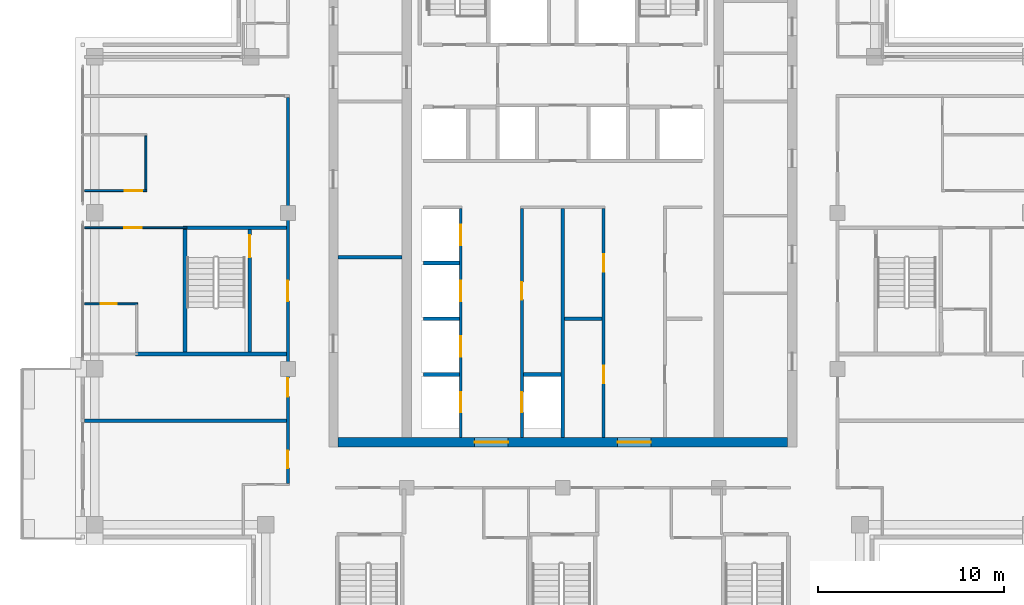
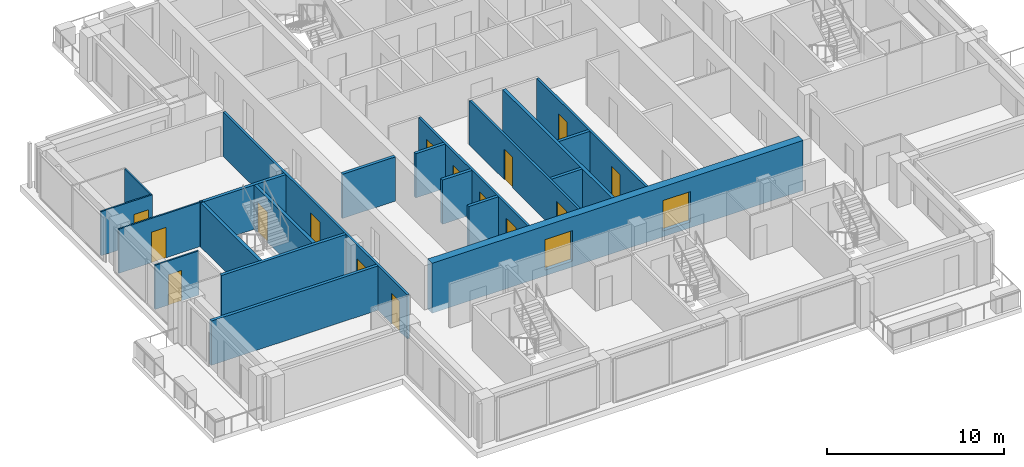
# One storey, part 10 of 18: 21 walls, 17 doors, 17 openings.
"""IFC4 building model written with IfcOpenShell, lengths in metres."""

from ifc_helpers import new_model, si_unit, direction, frame, frame_2d, origin, place, context, subcontext, project, spatial, rectangle, extrude, material, layer, layer_set, type_object, element, fill, save


model = new_model("IFC4")

# Units and contexts
model_context = context("Model", 3, precision=1e-05, world=origin(), true_north=direction((0.0, 1.0)))
body_context = subcontext(model_context, "Body", "Model", "MODEL_VIEW")
ifc_project = project(units=[si_unit("LENGTHUNIT", "METRE"), si_unit("AREAUNIT", "SQUARE_METRE"), si_unit("VOLUMEUNIT", "CUBIC_METRE"), si_unit("PLANEANGLEUNIT", "RADIAN"), si_unit("MASSUNIT", "GRAM", prefix="KILO")], contexts=[model_context])

# Site, building, storey
site_placement = place(None, origin())
site = spatial("IfcSite", under=ifc_project, at=site_placement, CompositionType="ELEMENT")
building_placement = place(site_placement, origin())
building = spatial("IfcBuilding", under=site, at=building_placement, Name="Vermilion Ogive Tower", CompositionType="ELEMENT")
storey_placement = place(building_placement, frame((0.0, 0.0, 230.35009765625)))
storey = spatial("IfcBuildingStorey", under=building, at=storey_placement, Name="L60", CompositionType="ELEMENT", Elevation=230.35009765625)

# Wall, openings, doors
ifc_material_1 = material(Name="Concrete B60", Category="concrete")
ifc_layer_1 = layer(ifc_material_1, 0.5)
ifc_layer_set_1 = layer_set([ifc_layer_1], Name="Core wall 500 B60")
wall_type_1 = type_object("IfcWallType", Name="Core wall 500 B60", PredefinedType="SHEAR", material=ifc_layer_set_1)
wall_1_placement = place(storey_placement, frame((-12.10009765625, -8.14990234375, -0.400146484375), z_axis=(0.0, 0.0, 1.0), x_axis=(1.0, 0.0, 0.0)))
wall_1 = element("IfcWall", 1, at=wall_1_placement, inside=storey, type_object=wall_type_1, Name="L60-CORE-S", PredefinedType="SHEAR", context=body_context, shape_type="SweptSolid", body=[
    extrude(rectangle(XDim=24.2001953125, YDim=0.5, at=frame_2d((12.10009765625, 0.0))), origin(), (0.0, 0.0, 1.0), 3.449951171875),
])
opening_1_placement = place(wall_1_placement, frame((7.35009765625, 0.0, 0.39990234375)))
opening_1 = element("IfcOpeningElement", 2, at=opening_1_placement, cuts=wall_1, Name="Opening DAH047", PredefinedType="OPENING", context=body_context, shape_type="SweptSolid", body=[
    extrude(rectangle(XDim=1.800048828125, YDim=2.10009765625, at=frame_2d((0.89990234375, 1.050048828125))), frame((0.0, 0.260009765625, 0.0), z_axis=(0.0, -1.0, 0.0), x_axis=(1.0, 0.0, 0.0)), (0.0, 0.0, 1.0), 0.52001953125),
])
opening_2_placement = place(wall_1_placement, frame((15.050048828125, 0.0, 0.39990234375)))
opening_2 = element("IfcOpeningElement", 3, at=opening_2_placement, cuts=wall_1, Name="Opening DAH048", PredefinedType="OPENING", context=body_context, shape_type="SweptSolid", body=[
    extrude(rectangle(XDim=1.800048828125, YDim=2.10009765625, at=frame_2d((0.89990234375, 1.050048828125))), frame((0.0, 0.260009765625, 0.0), z_axis=(0.0, -1.0, 0.0), x_axis=(1.0, 0.0, 0.0)), (0.0, 0.0, 1.0), 0.52001953125),
])
ifc_material_2 = material(Name="Timber door leaf", Category="wood")
door_type_1 = type_object("IfcDoorType", Name="Core entry door 1800 x 2100 FD60S", OperationType="DOUBLE_DOOR_SINGLE_SWING", PredefinedType="DOOR", material=ifc_material_2)
door_1_placement = place(opening_1_placement, origin())
door_1 = element("IfcDoor", 4, at=door_1_placement, inside=storey, type_object=door_type_1, Name="L60-CK-XD1", OperationType="SINGLE_SWING_LEFT", OverallHeight=2.10009765625, OverallWidth=1.800048828125, PredefinedType="DOOR", context=body_context, shape_type="SweptSolid", body=[
    extrude(rectangle(XDim=1.800048828125, YDim=2.10009765625, at=frame_2d((0.89990234375, 1.050048828125))), frame((0.0, 0.02490234375, 0.0), z_axis=(0.0, -1.0, 0.0), x_axis=(1.0, 0.0, 0.0)), (0.0, 0.0, 1.0), 0.050048828125),
])
fill(opening_1, door_1)
door_2_placement = place(opening_2_placement, origin())
door_2 = element("IfcDoor", 5, at=door_2_placement, inside=storey, type_object=door_type_1, Name="L60-CK-XD2", OperationType="SINGLE_SWING_LEFT", OverallHeight=2.10009765625, OverallWidth=1.800048828125, PredefinedType="DOOR", context=body_context, shape_type="SweptSolid", body=[
    extrude(rectangle(XDim=1.800048828125, YDim=2.10009765625, at=frame_2d((0.89990234375, 1.050048828125))), frame((0.0, 0.02490234375, 0.0), z_axis=(0.0, -1.0, 0.0), x_axis=(1.0, 0.0, 0.0)), (0.0, 0.0, 1.0), 0.050048828125),
])
fill(opening_2, door_2)

# Wall, opening, door
ifc_material_3 = material(Name="Gypsum board partition on steel studs", Category="steel")
ifc_layer_2 = layer(ifc_material_3, 0.10009765625)
ifc_layer_set_2 = layer_set([ifc_layer_2], Name="Partition 100 bath")
wall_type_2 = type_object("IfcWallType", Name="Partition 100 bath", PredefinedType="PARTITIONING", material=ifc_layer_set_2)
wall_2_placement = place(storey_placement, frame((-25.75, -0.699951171875, 0.0), z_axis=(0.0, 0.0, 1.0), x_axis=(1.0, 0.0, 0.0)))
wall_2 = element("IfcWall", 6, at=wall_2_placement, inside=storey, type_object=wall_type_2, Name="L60-W-W022", PredefinedType="PARTITIONING", context=body_context, shape_type="SweptSolid", body=[
    extrude(rectangle(XDim=2.85009765625, YDim=0.10009765625, at=frame_2d((1.425048828125, 0.0))), origin(), (0.0, 0.0, 1.0), 3.0498046875),
])
opening_3_placement = place(wall_2_placement, frame((0.875, 0.0, 0.0)))
opening_3 = element("IfcOpeningElement", 7, at=opening_3_placement, cuts=wall_2, Name="Opening D5G1006", PredefinedType="OPENING", context=body_context, shape_type="SweptSolid", body=[
    extrude(rectangle(XDim=0.85009765625, YDim=2.10009765625, at=frame_2d((0.425048828125, 1.050048828125))), frame((0.0, 0.06005859375, 0.0), z_axis=(0.0, -1.0, 0.0), x_axis=(1.0, 0.0, 0.0)), (0.0, 0.0, 1.0), 0.1201171875),
])
ifc_material_4 = material(Name="Timber door leaf", Category="wood")
door_type_2 = type_object("IfcDoorType", Name="Bath door 850 x 2100 FD30", OperationType="SINGLE_SWING_LEFT", PredefinedType="DOOR", material=ifc_material_4)
door_3_placement = place(opening_3_placement, origin())
door_3 = element("IfcDoor", 8, at=door_3_placement, inside=storey, type_object=door_type_2, Name="L60-D-D006", OperationType="SINGLE_SWING_RIGHT", OverallHeight=2.10009765625, OverallWidth=0.85009765625, PredefinedType="DOOR", context=body_context, shape_type="SweptSolid", body=[
    extrude(rectangle(XDim=0.85009765625, YDim=2.10009765625, at=frame_2d((0.425048828125, 1.050048828125))), frame((0.0, 0.02490234375, 0.0), z_axis=(0.0, -1.0, 0.0), x_axis=(1.0, 0.0, 0.0)), (0.0, 0.0, 1.0), 0.050048828125),
])
fill(opening_3, door_3)

ifc_material_5 = material(Name="Gypsum board partition on steel studs", Category="steel")
ifc_layer_3 = layer(ifc_material_5, 0.10009765625)
ifc_layer_set_3 = layer_set([ifc_layer_3], Name="Partition 100 inner")
wall_type_3 = type_object("IfcWallType", Name="Partition 100 inner", PredefinedType="PARTITIONING", material=ifc_layer_set_3)
wall_3_placement = place(storey_placement, frame((-25.75, 3.39990234375, 0.0), z_axis=(0.0, 0.0, 1.0), x_axis=(1.0, 0.0, 0.0)))
wall_3 = element("IfcWall", 9, at=wall_3_placement, inside=storey, type_object=wall_type_3, Name="L60-W-W023", PredefinedType="PARTITIONING", context=body_context, shape_type="SweptSolid", body=[
    extrude(rectangle(XDim=5.5, YDim=0.10009765625, at=frame_2d((2.75, 0.0))), origin(), (0.0, 0.0, 1.0), 3.0498046875),
])
opening_4_placement = place(wall_3_placement, frame((2.125, 0.0, 0.0)))
opening_4 = element("IfcOpeningElement", 10, at=opening_4_placement, cuts=wall_3, Name="Opening D5G1005", PredefinedType="OPENING", context=body_context, shape_type="SweptSolid", body=[
    extrude(rectangle(XDim=0.949951171875, YDim=2.10009765625, at=frame_2d((0.47509765625, 1.050048828125))), frame((0.0, 0.06005859375, 0.0), z_axis=(0.0, -1.0, 0.0), x_axis=(1.0, 0.0, 0.0)), (0.0, 0.0, 1.0), 0.1201171875),
])
ifc_material_6 = material(Name="Timber door leaf", Category="wood")
door_type_3 = type_object("IfcDoorType", Name="Inner door 950 x 2100 FD30", OperationType="SINGLE_SWING_LEFT", PredefinedType="DOOR", material=ifc_material_6)
door_4_placement = place(opening_4_placement, origin())
door_4 = element("IfcDoor", 11, at=door_4_placement, inside=storey, type_object=door_type_3, Name="L60-D-D005", OperationType="SINGLE_SWING_LEFT", OverallHeight=2.10009765625, OverallWidth=0.949951171875, PredefinedType="DOOR", context=body_context, shape_type="SweptSolid", body=[
    extrude(rectangle(XDim=0.949951171875, YDim=2.10009765625, at=frame_2d((0.47509765625, 1.050048828125))), frame((0.0, 0.02490234375, 0.0), z_axis=(0.0, -1.0, 0.0), x_axis=(1.0, 0.0, 0.0)), (0.0, 0.0, 1.0), 0.050048828125),
])
fill(opening_4, door_4)

wall_4_placement = place(storey_placement, frame((-25.75, 5.39990234375, 0.0), z_axis=(0.0, 0.0, 1.0), x_axis=(1.0, 0.0, 0.0)))
wall_4 = element("IfcWall", 12, at=wall_4_placement, inside=storey, type_object=wall_type_3, Name="L60-W-W027", PredefinedType="PARTITIONING", context=body_context, shape_type="SweptSolid", body=[
    extrude(rectangle(XDim=3.35009765625, YDim=0.10009765625, at=frame_2d((1.675048828125, 0.0))), origin(), (0.0, 0.0, 1.0), 3.0498046875),
])
opening_5_placement = place(wall_4_placement, frame((2.14990234375, 0.0, 0.0)))
opening_5 = element("IfcOpeningElement", 13, at=opening_5_placement, cuts=wall_4, Name="Opening D5G1003", PredefinedType="OPENING", context=body_context, shape_type="SweptSolid", body=[
    extrude(rectangle(XDim=0.949951171875, YDim=2.10009765625, at=frame_2d((0.47509765625, 1.050048828125))), frame((0.0, 0.06005859375, 0.0), z_axis=(0.0, -1.0, 0.0), x_axis=(1.0, 0.0, 0.0)), (0.0, 0.0, 1.0), 0.1201171875),
])
door_5_placement = place(opening_5_placement, origin())
door_5 = element("IfcDoor", 14, at=door_5_placement, inside=storey, type_object=door_type_3, Name="L60-D-D003", OperationType="SINGLE_SWING_RIGHT", OverallHeight=2.10009765625, OverallWidth=0.949951171875, PredefinedType="DOOR", context=body_context, shape_type="SweptSolid", body=[
    extrude(rectangle(XDim=0.949951171875, YDim=2.10009765625, at=frame_2d((0.47509765625, 1.050048828125))), frame((0.0, 0.02490234375, 0.0), z_axis=(0.0, -1.0, 0.0), x_axis=(1.0, 0.0, 0.0)), (0.0, 0.0, 1.0), 0.050048828125),
])
fill(opening_5, door_5)

# Wall
wall_5_placement = place(storey_placement, frame((-22.449951171875, 5.449951171875, 0.0), z_axis=(0.0, 0.0, 1.0), x_axis=(0.0, 1.0, 0.0)))
element("IfcWall", 15, at=wall_5_placement, inside=storey, type_object=wall_type_3, Name="L60-W-W040", PredefinedType="PARTITIONING", context=body_context, shape_type="SweptSolid", body=[
    extrude(rectangle(XDim=2.900146484375, YDim=0.10009765625, at=frame_2d((1.4501953125, 0.0))), origin(), (0.0, 0.0, 1.0), 3.0498046875),
])

# Wall, openings, doors
ifc_material_7 = material(Name="Gypsum board partition on steel studs", Category="steel")
ifc_layer_4 = layer(ifc_material_7, 0.14990234375)
ifc_layer_set_4 = layer_set([ifc_layer_4], Name="Partition 150 corridor")
wall_type_4 = type_object("IfcWallType", Name="Partition 150 corridor", PredefinedType="PARTITIONING", material=ifc_layer_set_4)
wall_6_placement = place(storey_placement, frame((-14.800048828125, -10.3798828125, 0.0), z_axis=(0.0, 0.0, 1.0), x_axis=(0.0, 1.0, 0.0)))
wall_6 = element("IfcWall", 16, at=wall_6_placement, inside=storey, type_object=wall_type_4, Name="L60-W-W045", PredefinedType="PARTITIONING", context=body_context, shape_type="SweptSolid", body=[
    extrude(rectangle(XDim=20.804931640625, YDim=0.14990234375, at=frame_2d((10.40234375, 0.0))), origin(), (0.0, 0.0, 1.0), 3.0498046875),
])
opening_6_placement = place(wall_6_placement, frame((0.829833984375, 0.0, 0.0)))
opening_6 = element("IfcOpeningElement", 17, at=opening_6_placement, cuts=wall_6, Name="Opening D5G1001", PredefinedType="OPENING", context=body_context, shape_type="SweptSolid", body=[
    extrude(rectangle(XDim=0.949951171875, YDim=2.10009765625, at=frame_2d((0.47509765625, 1.050048828125))), frame((0.0, 0.0849609375, 0.0), z_axis=(0.0, -1.0, 0.0), x_axis=(1.0, 0.0, 0.0)), (0.0, 0.0, 1.0), 0.169921875),
])
opening_7_placement = place(wall_6_placement, frame((9.829833984375, 0.0, 0.0)))
opening_7 = element("IfcOpeningElement", 18, at=opening_7_placement, cuts=wall_6, Name="Opening D5G1031", PredefinedType="OPENING", context=body_context, shape_type="SweptSolid", body=[
    extrude(rectangle(XDim=1.10009765625, YDim=2.10009765625, at=frame_2d((0.550048828125, 1.050048828125))), frame((0.0, 0.0849609375, 0.0), z_axis=(0.0, -1.0, 0.0), x_axis=(1.0, 0.0, 0.0)), (0.0, 0.0, 1.0), 0.169921875),
])
opening_8_placement = place(wall_6_placement, frame((4.679931640625, 0.0, 0.0)))
opening_8 = element("IfcOpeningElement", 19, at=opening_8_placement, cuts=wall_6, Name="Opening D5G1033", PredefinedType="OPENING", context=body_context, shape_type="SweptSolid", body=[
    extrude(rectangle(XDim=1.0, YDim=2.10009765625, at=frame_2d((0.5, 1.050048828125))), frame((0.0, 0.0849609375, 0.0), z_axis=(0.0, -1.0, 0.0), x_axis=(1.0, 0.0, 0.0)), (0.0, 0.0, 1.0), 0.169921875),
])
ifc_material_8 = material(Name="Timber door leaf", Category="wood")
door_type_4 = type_object("IfcDoorType", Name="Stair door 1100 x 2100 FD60S", OperationType="SINGLE_SWING_LEFT", PredefinedType="DOOR", material=ifc_material_8)
door_6_placement = place(opening_7_placement, origin())
door_6 = element("IfcDoor", 20, at=door_6_placement, inside=storey, type_object=door_type_4, Name="L60-D-D031", OperationType="SINGLE_SWING_RIGHT", OverallHeight=2.10009765625, OverallWidth=1.10009765625, PredefinedType="DOOR", context=body_context, shape_type="SweptSolid", body=[
    extrude(rectangle(XDim=1.10009765625, YDim=2.10009765625, at=frame_2d((0.550048828125, 1.050048828125))), frame((0.0, 0.02490234375, 0.0), z_axis=(0.0, -1.0, 0.0), x_axis=(1.0, 0.0, 0.0)), (0.0, 0.0, 1.0), 0.050048828125),
])
fill(opening_7, door_6)
ifc_material_9 = material(Name="Timber door leaf", Category="wood")
door_type_5 = type_object("IfcDoorType", Name="Unit door 1000 x 2100 FD30S", OperationType="SINGLE_SWING_LEFT", PredefinedType="DOOR", material=ifc_material_9)
door_7_placement = place(opening_8_placement, origin())
door_7 = element("IfcDoor", 21, at=door_7_placement, inside=storey, type_object=door_type_5, Name="L60-D-D033", OperationType="SINGLE_SWING_LEFT", OverallHeight=2.10009765625, OverallWidth=1.0, PredefinedType="DOOR", context=body_context, shape_type="SweptSolid", body=[
    extrude(rectangle(XDim=1.0, YDim=2.10009765625, at=frame_2d((0.5, 1.050048828125))), frame((0.0, 0.02490234375, 0.0), z_axis=(0.0, -1.0, 0.0), x_axis=(1.0, 0.0, 0.0)), (0.0, 0.0, 1.0), 0.050048828125),
])
fill(opening_8, door_7)
ifc_material_10 = material(Name="Timber door leaf", Category="wood")
door_type_6 = type_object("IfcDoorType", Name="Unit door 950 x 2100 FD30S", OperationType="SINGLE_SWING_LEFT", PredefinedType="DOOR", material=ifc_material_10)
door_8_placement = place(opening_6_placement, origin())
door_8 = element("IfcDoor", 22, at=door_8_placement, inside=storey, type_object=door_type_6, Name="L60-D-D001", OperationType="SINGLE_SWING_LEFT", OverallHeight=2.10009765625, OverallWidth=0.949951171875, PredefinedType="DOOR", context=body_context, shape_type="SweptSolid", body=[
    extrude(rectangle(XDim=0.949951171875, YDim=2.10009765625, at=frame_2d((0.47509765625, 1.050048828125))), frame((0.0, 0.02490234375, 0.0), z_axis=(0.0, -1.0, 0.0), x_axis=(1.0, 0.0, 0.0)), (0.0, 0.0, 1.0), 0.050048828125),
])
fill(opening_6, door_8)

wall_7_placement = place(storey_placement, frame((-5.5, -7.89892578125, 0.0), z_axis=(0.0, 0.0, 1.0), x_axis=(0.0, 1.0, 0.0)))
wall_7 = element("IfcWall", 23, at=wall_7_placement, inside=storey, type_object=wall_type_4, Name="L60-CK-W-W019", PredefinedType="PARTITIONING", context=body_context, shape_type="SweptSolid", body=[
    extrude(rectangle(XDim=12.323974609375, YDim=0.14990234375, at=frame_2d((6.162109375, 0.0))), origin(), (0.0, 0.0, 1.0), 3.0498046875),
])
opening_9_placement = place(wall_7_placement, frame((1.348876953125, 0.0, 0.0)))
opening_9 = element("IfcOpeningElement", 24, at=opening_9_placement, cuts=wall_7, Name="Opening DAA552", PredefinedType="OPENING", context=body_context, shape_type="SweptSolid", body=[
    extrude(rectangle(XDim=1.10009765625, YDim=2.10009765625, at=frame_2d((0.550048828125, 1.050048828125))), frame((0.0, 0.0849609375, 0.0), z_axis=(0.0, -1.0, 0.0), x_axis=(1.0, 0.0, 0.0)), (0.0, 0.0, 1.0), 0.169921875),
])
opening_10_placement = place(wall_7_placement, frame((4.348876953125, 0.0, 0.0)))
opening_10 = element("IfcOpeningElement", 25, at=opening_10_placement, cuts=wall_7, Name="Opening DAA553", PredefinedType="OPENING", context=body_context, shape_type="SweptSolid", body=[
    extrude(rectangle(XDim=1.10009765625, YDim=2.10009765625, at=frame_2d((0.550048828125, 1.050048828125))), frame((0.0, 0.0849609375, 0.0), z_axis=(0.0, -1.0, 0.0), x_axis=(1.0, 0.0, 0.0)), (0.0, 0.0, 1.0), 0.169921875),
])
opening_11_placement = place(wall_7_placement, frame((7.348876953125, 0.0, 0.0)))
opening_11 = element("IfcOpeningElement", 26, at=opening_11_placement, cuts=wall_7, Name="Opening DAA554", PredefinedType="OPENING", context=body_context, shape_type="SweptSolid", body=[
    extrude(rectangle(XDim=1.10009765625, YDim=2.10009765625, at=frame_2d((0.550048828125, 1.050048828125))), frame((0.0, 0.0849609375, 0.0), z_axis=(0.0, -1.0, 0.0), x_axis=(1.0, 0.0, 0.0)), (0.0, 0.0, 1.0), 0.169921875),
])
opening_12_placement = place(wall_7_placement, frame((10.348876953125, 0.0, 0.0)))
opening_12 = element("IfcOpeningElement", 27, at=opening_12_placement, cuts=wall_7, Name="Opening DAA555", PredefinedType="OPENING", context=body_context, shape_type="SweptSolid", body=[
    extrude(rectangle(XDim=1.10009765625, YDim=2.10009765625, at=frame_2d((0.550048828125, 1.050048828125))), frame((0.0, 0.0849609375, 0.0), z_axis=(0.0, -1.0, 0.0), x_axis=(1.0, 0.0, 0.0)), (0.0, 0.0, 1.0), 0.169921875),
])
ifc_material_11 = material(Name="Stainless steel", Category="steel")
door_type_7 = type_object("IfcDoorType", Name="Lift landing door 1100 x 2100", OperationType="SLIDING_TO_LEFT", PredefinedType="DOOR", material=ifc_material_11)
door_9_placement = place(opening_9_placement, origin())
door_9 = element("IfcDoor", 28, at=door_9_placement, inside=storey, type_object=door_type_7, Name="L60-CK-D-D001", OperationType="SLIDING_TO_LEFT", OverallHeight=2.10009765625, OverallWidth=1.10009765625, PredefinedType="DOOR", context=body_context, shape_type="SweptSolid", body=[
    extrude(rectangle(XDim=1.10009765625, YDim=2.10009765625, at=frame_2d((0.550048828125, 1.050048828125))), frame((0.0, 0.02490234375, 0.0), z_axis=(0.0, -1.0, 0.0), x_axis=(1.0, 0.0, 0.0)), (0.0, 0.0, 1.0), 0.050048828125),
])
fill(opening_9, door_9)
door_10_placement = place(opening_10_placement, origin())
door_10 = element("IfcDoor", 29, at=door_10_placement, inside=storey, type_object=door_type_7, Name="L60-CK-D-D002", OperationType="SLIDING_TO_LEFT", OverallHeight=2.10009765625, OverallWidth=1.10009765625, PredefinedType="DOOR", context=body_context, shape_type="SweptSolid", body=[
    extrude(rectangle(XDim=1.10009765625, YDim=2.10009765625, at=frame_2d((0.550048828125, 1.050048828125))), frame((0.0, 0.02490234375, 0.0), z_axis=(0.0, -1.0, 0.0), x_axis=(1.0, 0.0, 0.0)), (0.0, 0.0, 1.0), 0.050048828125),
])
fill(opening_10, door_10)
door_11_placement = place(opening_11_placement, origin())
door_11 = element("IfcDoor", 30, at=door_11_placement, inside=storey, type_object=door_type_7, Name="L60-CK-D-D003", OperationType="SLIDING_TO_LEFT", OverallHeight=2.10009765625, OverallWidth=1.10009765625, PredefinedType="DOOR", context=body_context, shape_type="SweptSolid", body=[
    extrude(rectangle(XDim=1.10009765625, YDim=2.10009765625, at=frame_2d((0.550048828125, 1.050048828125))), frame((0.0, 0.02490234375, 0.0), z_axis=(0.0, -1.0, 0.0), x_axis=(1.0, 0.0, 0.0)), (0.0, 0.0, 1.0), 0.050048828125),
])
fill(opening_11, door_11)
door_12_placement = place(opening_12_placement, origin())
door_12 = element("IfcDoor", 31, at=door_12_placement, inside=storey, type_object=door_type_7, Name="L60-CK-D-D004", OperationType="SLIDING_TO_LEFT", OverallHeight=2.10009765625, OverallWidth=1.10009765625, PredefinedType="DOOR", context=body_context, shape_type="SweptSolid", body=[
    extrude(rectangle(XDim=1.10009765625, YDim=2.10009765625, at=frame_2d((0.550048828125, 1.050048828125))), frame((0.0, 0.02490234375, 0.0), z_axis=(0.0, -1.0, 0.0), x_axis=(1.0, 0.0, 0.0)), (0.0, 0.0, 1.0), 0.050048828125),
])
fill(opening_12, door_12)

wall_8_placement = place(storey_placement, frame((-2.199951171875, -7.89892578125, 0.0), z_axis=(0.0, 0.0, 1.0), x_axis=(0.0, 1.0, 0.0)))
wall_8 = element("IfcWall", 32, at=wall_8_placement, inside=storey, type_object=wall_type_4, Name="L60-CK-W-W024", PredefinedType="PARTITIONING", context=body_context, shape_type="SweptSolid", body=[
    extrude(rectangle(XDim=12.323974609375, YDim=0.14990234375, at=frame_2d((6.162109375, 0.0))), origin(), (0.0, 0.0, 1.0), 3.0498046875),
])
opening_13_placement = place(wall_8_placement, frame((1.348876953125, 0.0, 0.0)))
opening_13 = element("IfcOpeningElement", 33, at=opening_13_placement, cuts=wall_8, Name="Opening DAA556", PredefinedType="OPENING", context=body_context, shape_type="SweptSolid", body=[
    extrude(rectangle(XDim=1.10009765625, YDim=2.10009765625, at=frame_2d((0.550048828125, 1.050048828125))), frame((0.0, 0.0849609375, 0.0), z_axis=(0.0, -1.0, 0.0), x_axis=(1.0, 0.0, 0.0)), (0.0, 0.0, 1.0), 0.169921875),
])
opening_14_placement = place(wall_8_placement, frame((7.423828125, 0.0, 0.0)))
opening_14 = element("IfcOpeningElement", 34, at=opening_14_placement, cuts=wall_8, Name="Opening DAA543", PredefinedType="OPENING", context=body_context, shape_type="SweptSolid", body=[
    extrude(rectangle(XDim=0.949951171875, YDim=2.10009765625, at=frame_2d((0.47509765625, 1.050048828125))), frame((0.0, 0.0849609375, 0.0), z_axis=(0.0, -1.0, 0.0), x_axis=(1.0, 0.0, 0.0)), (0.0, 0.0, 1.0), 0.169921875),
])
door_13_placement = place(opening_13_placement, origin())
door_13 = element("IfcDoor", 35, at=door_13_placement, inside=storey, type_object=door_type_7, Name="L60-CK-D-D005", OperationType="SLIDING_TO_LEFT", OverallHeight=2.10009765625, OverallWidth=1.10009765625, PredefinedType="DOOR", context=body_context, shape_type="SweptSolid", body=[
    extrude(rectangle(XDim=1.10009765625, YDim=2.10009765625, at=frame_2d((0.550048828125, 1.050048828125))), frame((0.0, 0.02490234375, 0.0), z_axis=(0.0, -1.0, 0.0), x_axis=(1.0, 0.0, 0.0)), (0.0, 0.0, 1.0), 0.050048828125),
])
fill(opening_13, door_13)
ifc_material_12 = material(Name="Timber door leaf", Category="wood")
door_type_8 = type_object("IfcDoorType", Name="Service door 950 x 2100 FD60", OperationType="SINGLE_SWING_LEFT", PredefinedType="DOOR", material=ifc_material_12)
door_14_placement = place(opening_14_placement, origin())
door_14 = element("IfcDoor", 36, at=door_14_placement, inside=storey, type_object=door_type_8, Name="L60-CK-D-D006", OperationType="SINGLE_SWING_RIGHT", OverallHeight=2.10009765625, OverallWidth=0.949951171875, PredefinedType="DOOR", context=body_context, shape_type="SweptSolid", body=[
    extrude(rectangle(XDim=0.949951171875, YDim=2.10009765625, at=frame_2d((0.47509765625, 1.050048828125))), frame((0.0, 0.02490234375, 0.0), z_axis=(0.0, -1.0, 0.0), x_axis=(1.0, 0.0, 0.0)), (0.0, 0.0, 1.0), 0.050048828125),
])
fill(opening_14, door_14)

wall_9_placement = place(storey_placement, frame((2.199951171875, -7.89892578125, 0.0), z_axis=(0.0, 0.0, 1.0), x_axis=(0.0, 1.0, 0.0)))
wall_9 = element("IfcWall", 37, at=wall_9_placement, inside=storey, type_object=wall_type_4, Name="L60-CK-W-W031", PredefinedType="PARTITIONING", context=body_context, shape_type="SweptSolid", body=[
    extrude(rectangle(XDim=12.323974609375, YDim=0.14990234375, at=frame_2d((6.162109375, 0.0))), origin(), (0.0, 0.0, 1.0), 3.0498046875),
])
opening_15_placement = place(wall_9_placement, frame((2.923828125, 0.0, 0.0)))
opening_15 = element("IfcOpeningElement", 38, at=opening_15_placement, cuts=wall_9, Name="Opening DAA544", PredefinedType="OPENING", context=body_context, shape_type="SweptSolid", body=[
    extrude(rectangle(XDim=0.949951171875, YDim=2.10009765625, at=frame_2d((0.47509765625, 1.050048828125))), frame((0.0, 0.0849609375, 0.0), z_axis=(0.0, -1.0, 0.0), x_axis=(1.0, 0.0, 0.0)), (0.0, 0.0, 1.0), 0.169921875),
])
opening_16_placement = place(wall_9_placement, frame((8.923828125, 0.0, 0.0)))
opening_16 = element("IfcOpeningElement", 39, at=opening_16_placement, cuts=wall_9, Name="Opening DAA545", PredefinedType="OPENING", context=body_context, shape_type="SweptSolid", body=[
    extrude(rectangle(XDim=0.949951171875, YDim=2.10009765625, at=frame_2d((0.47509765625, 1.050048828125))), frame((0.0, 0.0849609375, 0.0), z_axis=(0.0, -1.0, 0.0), x_axis=(1.0, 0.0, 0.0)), (0.0, 0.0, 1.0), 0.169921875),
])
door_15_placement = place(opening_15_placement, origin())
door_15 = element("IfcDoor", 40, at=door_15_placement, inside=storey, type_object=door_type_8, Name="L60-CK-D-D007", OperationType="SINGLE_SWING_RIGHT", OverallHeight=2.10009765625, OverallWidth=0.949951171875, PredefinedType="DOOR", context=body_context, shape_type="SweptSolid", body=[
    extrude(rectangle(XDim=0.949951171875, YDim=2.10009765625, at=frame_2d((0.47509765625, 1.050048828125))), frame((0.0, 0.02490234375, 0.0), z_axis=(0.0, -1.0, 0.0), x_axis=(1.0, 0.0, 0.0)), (0.0, 0.0, 1.0), 0.050048828125),
])
fill(opening_15, door_15)
door_16_placement = place(opening_16_placement, origin())
door_16 = element("IfcDoor", 41, at=door_16_placement, inside=storey, type_object=door_type_8, Name="L60-CK-D-D008", OperationType="SINGLE_SWING_RIGHT", OverallHeight=2.10009765625, OverallWidth=0.949951171875, PredefinedType="DOOR", context=body_context, shape_type="SweptSolid", body=[
    extrude(rectangle(XDim=0.949951171875, YDim=2.10009765625, at=frame_2d((0.47509765625, 1.050048828125))), frame((0.0, 0.02490234375, 0.0), z_axis=(0.0, -1.0, 0.0), x_axis=(1.0, 0.0, 0.0)), (0.0, 0.0, 1.0), 0.050048828125),
])
fill(opening_16, door_16)

# Walls
ifc_material_13 = material(Name="Gypsum board partition on steel studs", Category="steel")
ifc_layer_5 = layer(ifc_material_13, 0.199951171875)
ifc_layer_set_5 = layer_set([ifc_layer_5], Name="Partition 200 party")
wall_type_5 = type_object("IfcWallType", Name="Partition 200 party", PredefinedType="PARTITIONING", material=ifc_layer_set_5)
wall_10_placement = place(storey_placement, frame((-25.75, -7.0, 0.0), z_axis=(0.0, 0.0, 1.0), x_axis=(1.0, 0.0, 0.0)))
element("IfcWall", 42, at=wall_10_placement, inside=storey, type_object=wall_type_5, Name="L60-W-W014", PredefinedType="PARTITIONING", context=body_context, shape_type="SweptSolid", body=[
    extrude(rectangle(XDim=10.875, YDim=0.199951171875, at=frame_2d((5.4375, 0.0))), origin(), (0.0, 0.0, 1.0), 3.0498046875),
])
wall_11_placement = place(storey_placement, frame((-7.5, -4.5, 0.0), z_axis=(0.0, 0.0, 1.0), x_axis=(1.0, 0.0, 0.0)))
element("IfcWall", 43, at=wall_11_placement, inside=storey, type_object=wall_type_5, Name="L60-CK-W-W001", PredefinedType="PARTITIONING", context=body_context, shape_type="SweptSolid", body=[
    extrude(rectangle(XDim=1.925048828125, YDim=0.199951171875, at=frame_2d((0.96240234375, 0.0))), origin(), (0.0, 0.0, 1.0), 3.0498046875),
])
wall_12_placement = place(storey_placement, frame((-2.125, -4.5, 0.0), z_axis=(0.0, 0.0, 1.0), x_axis=(1.0, 0.0, 0.0)))
element("IfcWall", 44, at=wall_12_placement, inside=storey, type_object=wall_type_5, Name="L60-CK-W-W002", PredefinedType="PARTITIONING", context=body_context, shape_type="SweptSolid", body=[
    extrude(rectangle(XDim=2.02490234375, YDim=0.199951171875, at=frame_2d((1.012451171875, 0.0))), origin(), (0.0, 0.0, 1.0), 3.0498046875),
])
wall_13_placement = place(storey_placement, frame((-7.5, -1.5, 0.0), z_axis=(0.0, 0.0, 1.0), x_axis=(1.0, 0.0, 0.0)))
element("IfcWall", 45, at=wall_13_placement, inside=storey, type_object=wall_type_5, Name="L60-CK-W-W003", PredefinedType="PARTITIONING", context=body_context, shape_type="SweptSolid", body=[
    extrude(rectangle(XDim=1.925048828125, YDim=0.199951171875, at=frame_2d((0.96240234375, 0.0))), origin(), (0.0, 0.0, 1.0), 3.0498046875),
])
wall_14_placement = place(storey_placement, frame((0.10009765625, -1.5, 0.0), z_axis=(0.0, 0.0, 1.0), x_axis=(1.0, 0.0, 0.0)))
element("IfcWall", 46, at=wall_14_placement, inside=storey, type_object=wall_type_5, Name="L60-CK-W-W004", PredefinedType="PARTITIONING", context=body_context, shape_type="SweptSolid", body=[
    extrude(rectangle(XDim=2.02490234375, YDim=0.199951171875, at=frame_2d((1.012451171875, 0.0))), origin(), (0.0, 0.0, 1.0), 3.0498046875),
])
wall_15_placement = place(storey_placement, frame((-7.5, 1.5, 0.0), z_axis=(0.0, 0.0, 1.0), x_axis=(1.0, 0.0, 0.0)))
element("IfcWall", 47, at=wall_15_placement, inside=storey, type_object=wall_type_5, Name="L60-CK-W-W006", PredefinedType="PARTITIONING", context=body_context, shape_type="SweptSolid", body=[
    extrude(rectangle(XDim=1.925048828125, YDim=0.199951171875, at=frame_2d((0.96240234375, 0.0))), origin(), (0.0, 0.0, 1.0), 3.0498046875),
])
wall_16_placement = place(storey_placement, frame((0.0, -7.89892578125, 0.0), z_axis=(0.0, 0.0, 1.0), x_axis=(0.0, 1.0, 0.0)))
element("IfcWall", 48, at=wall_16_placement, inside=storey, type_object=wall_type_5, Name="L60-CK-W-W027", PredefinedType="PARTITIONING", context=body_context, shape_type="SweptSolid", body=[
    extrude(rectangle(XDim=12.323974609375, YDim=0.199951171875, at=frame_2d((6.162109375, 0.0))), origin(), (0.0, 0.0, 1.0), 3.0498046875),
])
wall_17_placement = place(storey_placement, frame((-12.09912109375, 1.81591796875, 0.0), z_axis=(0.0, 0.0, 1.0), x_axis=(1.0, 0.0, 0.0)))
element("IfcWall", 49, at=wall_17_placement, inside=storey, type_object=wall_type_5, Name="L60-CKW-W-W001", PredefinedType="PARTITIONING", context=body_context, shape_type="SweptSolid", body=[
    extrude(rectangle(XDim=3.4482421875, YDim=0.199951171875, at=frame_2d((1.72412109375, 0.0))), origin(), (0.0, 0.0, 1.0), 3.0498046875),
])
ifc_material_14 = material(Name="Concrete B60", Category="concrete")
ifc_layer_6 = layer(ifc_material_14, 0.199951171875)
ifc_layer_set_6 = layer_set([ifc_layer_6], Name="Stair shaft wall 200 Concrete B60")
wall_type_6 = type_object("IfcWallType", Name="Stair shaft wall 200 Concrete B60", PredefinedType="SOLIDWALL", material=ifc_layer_set_6)
wall_18_placement = place(storey_placement, frame((-20.449951171875, 3.39990234375, 0.0), z_axis=(0.0, 0.0, 1.0), x_axis=(1.0, 0.0, 0.0)))
element("IfcWall", 50, at=wall_18_placement, inside=storey, type_object=wall_type_6, Name="L60-W-W024", PredefinedType="SOLIDWALL", context=body_context, shape_type="SweptSolid", body=[
    extrude(rectangle(XDim=5.574951171875, YDim=0.199951171875, at=frame_2d((2.78759765625, 0.0))), origin(), (0.0, 0.0, 1.0), 3.0498046875),
])

# Wall, opening, door
wall_19_placement = place(storey_placement, frame((-16.85009765625, -3.300048828125, 0.0), z_axis=(0.0, 0.0, 1.0), x_axis=(0.0, 1.0, 0.0)))
wall_19 = element("IfcWall", 51, at=wall_19_placement, inside=storey, type_object=wall_type_6, Name="L60-W-W044", PredefinedType="SOLIDWALL", context=body_context, shape_type="SweptSolid", body=[
    extrude(rectangle(XDim=6.60009765625, YDim=0.199951171875, at=frame_2d((3.300048828125, 0.0))), origin(), (0.0, 0.0, 1.0), 3.0498046875),
])
opening_17_placement = place(wall_19_placement, frame((5.10009765625, 0.0, 0.0)))
opening_17 = element("IfcOpeningElement", 52, at=opening_17_placement, cuts=wall_19, Name="Opening D5G1032", PredefinedType="OPENING", context=body_context, shape_type="SweptSolid", body=[
    extrude(rectangle(XDim=1.199951171875, YDim=2.10009765625, at=frame_2d((0.60009765625, 1.050048828125))), frame((0.0, 0.10986328125, 0.0), z_axis=(0.0, -1.0, 0.0), x_axis=(1.0, 0.0, 0.0)), (0.0, 0.0, 1.0), 0.219970703125),
])
ifc_material_15 = material(Name="Timber door leaf", Category="wood")
door_type_9 = type_object("IfcDoorType", Name="Stair door 1200 x 2100 FD60S", OperationType="SINGLE_SWING_LEFT", PredefinedType="DOOR", material=ifc_material_15)
door_17_placement = place(opening_17_placement, origin())
door_17 = element("IfcDoor", 53, at=door_17_placement, inside=storey, type_object=door_type_9, Name="L60-D-D032", OperationType="SINGLE_SWING_RIGHT", OverallHeight=2.10009765625, OverallWidth=1.199951171875, PredefinedType="DOOR", context=body_context, shape_type="SweptSolid", body=[
    extrude(rectangle(XDim=1.199951171875, YDim=2.10009765625, at=frame_2d((0.60009765625, 1.050048828125))), frame((0.0, 0.02490234375, 0.0), z_axis=(0.0, -1.0, 0.0), x_axis=(1.0, 0.0, 0.0)), (0.0, 0.0, 1.0), 0.050048828125),
])
fill(opening_17, door_17)

# Walls
wall_20_placement = place(storey_placement, frame((-23.0, -3.39990234375, 0.0), z_axis=(0.0, 0.0, 1.0), x_axis=(1.0, 0.0, 0.0)))
element("IfcWall", 54, at=wall_20_placement, inside=storey, type_object=wall_type_6, Name="L60-W-W017-A", PredefinedType="SOLIDWALL", context=body_context, shape_type="SweptSolid", body=[
    extrude(rectangle(XDim=8.123046875, YDim=0.199951171875, at=frame_2d((4.0615234375, 0.0))), origin(), (0.0, 0.0, 1.0), 3.0498046875),
])
wall_21_placement = place(storey_placement, frame((-20.35009765625, -3.300048828125, 0.0), z_axis=(0.0, 0.0, 1.0), x_axis=(0.0, 1.0, 0.0)))
element("IfcWall", 55, at=wall_21_placement, inside=storey, type_object=wall_type_6, Name="L60-W-W041-A", PredefinedType="SOLIDWALL", context=body_context, shape_type="SweptSolid", body=[
    extrude(rectangle(XDim=6.60009765625, YDim=0.199951171875, at=frame_2d((3.300048828125, 0.0))), origin(), (0.0, 0.0, 1.0), 3.0498046875),
])

save(model, "model.ifc")
